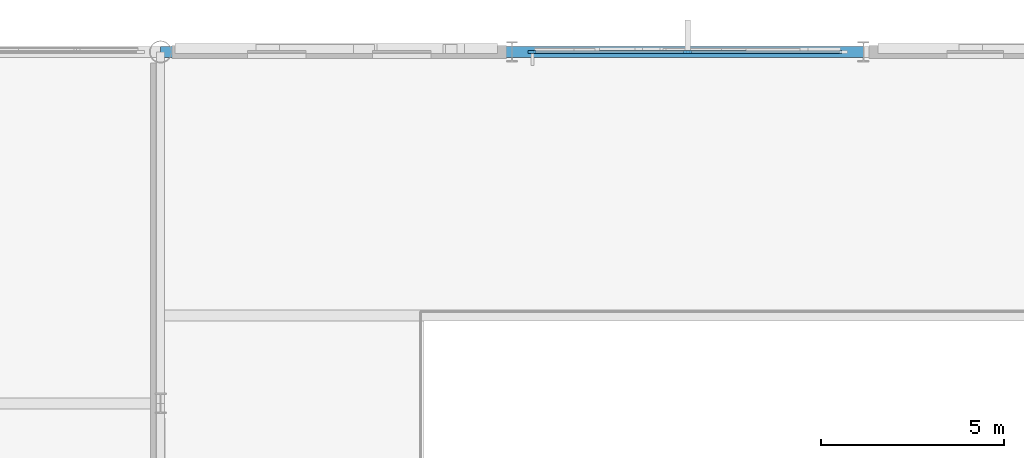
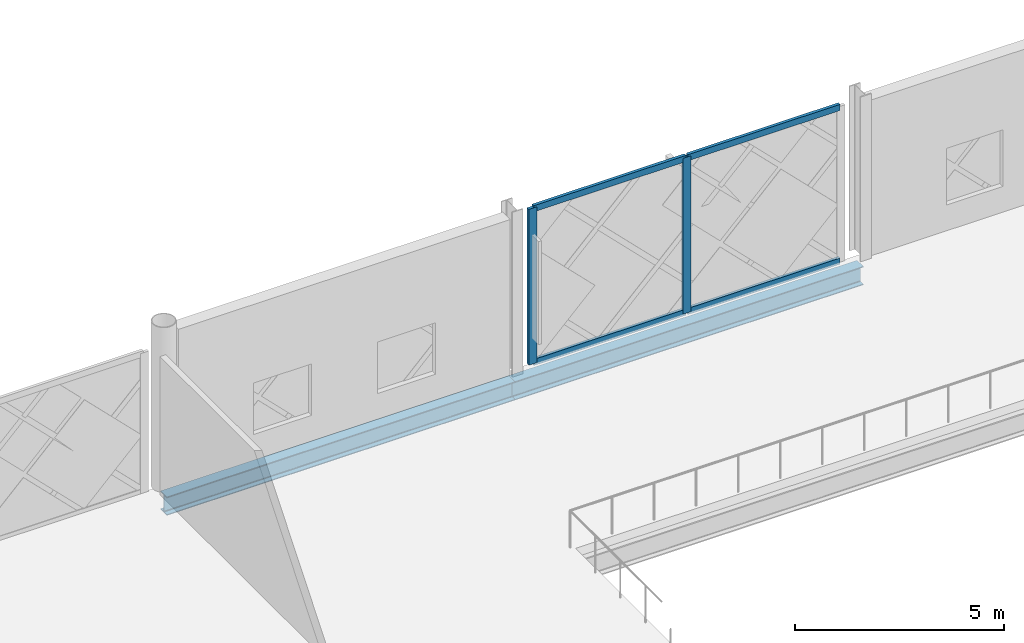
# One storey, part 32 of 77: 6 members, 2 beams, 1 element without a shape of its own.
"""IFC4 building model written with IfcOpenShell, lengths in metres."""

import ifcopenshell
import ifcopenshell.guid

model = None  # the IFC model being written
_history = None  # IfcOwnerHistory: only IFC2X3 demands one
_inside = {}  # id of a spatial element -> (the spatial element, [elements in it])
_under = {}  # id of a project, library or spatial element -> (it, [spatial elements below it])
_declared = {}  # id of a project -> (the project, [libraries it declares])
_typed = {}  # id of a type object -> (the type object, [elements of that type])
_made_of = {}  # id of a material, layer set ... -> (it, [elements and type objects made of it])


def new_model(schema):
    """Start an empty IFC model of exactly this schema.

    Asked for "IFC4X3", IfcOpenShell would pick the latest addendum, in which some entities
    have other attributes; the version numbers below select the first issue.
    IFC2X3 requires an IfcOwnerHistory on every rooted entity: one is made here for all.
    """
    global model, _history
    if schema == "IFC4X3":
        model = ifcopenshell.file(schema_version=(4, 3, 0, 0))
    else:
        model = ifcopenshell.file(schema=schema)
    _inside.clear()
    _under.clear()
    _declared.clear()
    _typed.clear()
    _made_of.clear()
    _history = None
    if model.schema == "IFC2X3":
        org = make("IfcOrganization", Name="unknown")
        user = make(
            "IfcPersonAndOrganization",
            ThePerson=make("IfcPerson", FamilyName="unknown"),
            TheOrganization=org,
        )
        app = make(
            "IfcApplication",
            ApplicationDeveloper=org,
            Version="unknown",
            ApplicationFullName="unknown",
            ApplicationIdentifier="unknown",
        )
        _history = make(
            "IfcOwnerHistory",
            OwningUser=user,
            OwningApplication=app,
            ChangeAction="ADDED",
            CreationDate=0,
        )
    return model


def make(cls, **values):
    """One entity of the class cls with the attributes given. An attribute that is None is left unset."""
    return model.create_entity(
        cls, **{name: value for name, value in values.items() if value is not None}
    )


def rooted(cls, **values):
    """An entity with a GlobalId (a new one), such as an element, a storey or a relation."""
    return make(cls, GlobalId=ifcopenshell.guid.new(), OwnerHistory=_history, **values)


def si_unit(unit_type, name, prefix=None):
    """IfcSIUnit, for example si_unit("LENGTHUNIT", "METRE", prefix="MILLI")."""
    return make("IfcSIUnit", UnitType=unit_type, Prefix=prefix, Name=name)


def assignment(units):
    """IfcUnitAssignment: the units of a project."""
    return None if units is None else make("IfcUnitAssignment", Units=units)


def point(xyz):
    """IfcCartesianPoint."""
    return None if xyz is None else make("IfcCartesianPoint", Coordinates=xyz)


def direction(xyz):
    """IfcDirection."""
    return None if xyz is None else make("IfcDirection", DirectionRatios=xyz)


def frame(location, z_axis=None, x_axis=None):
    """IfcAxis2Placement3D, a coordinate frame: its origin and axes. An axis left out is left unset."""
    return make(
        "IfcAxis2Placement3D",
        Location=point(location),
        Axis=direction(z_axis),
        RefDirection=direction(x_axis),
    )


def frame_2d(location, x_axis=None):
    """IfcAxis2Placement2D, a coordinate frame in the plane: its origin and x axis."""
    return make(
        "IfcAxis2Placement2D", Location=point(location), RefDirection=direction(x_axis)
    )


def origin():
    """The frame at (0, 0, 0) with its axes left unset."""
    return frame((0.0, 0.0, 0.0))


def origin_2d():
    """The frame at (0, 0) in the plane with its x axis left unset."""
    return frame_2d((0.0, 0.0))


def place(relative_to, where):
    """IfcLocalPlacement: puts the frame where relative to a parent placement (None: the world)."""
    return make(
        "IfcLocalPlacement", PlacementRelTo=relative_to, RelativePlacement=where
    )


def context(
    kind, dimensions, precision=None, world=None, true_north=None, identifier=None
):
    """IfcGeometricRepresentationContext, for example the 3D "Model" context."""
    return make(
        "IfcGeometricRepresentationContext",
        ContextIdentifier=identifier,
        ContextType=kind,
        CoordinateSpaceDimension=dimensions,
        Precision=precision,
        WorldCoordinateSystem=world,
        TrueNorth=true_north,
    )


def subcontext(parent, identifier, kind, view, scale=None):
    """IfcGeometricRepresentationSubContext, for example "Body" below "Model"."""
    return make(
        "IfcGeometricRepresentationSubContext",
        ContextIdentifier=identifier,
        ContextType=kind,
        ParentContext=parent,
        TargetScale=scale,
        TargetView=view,
    )


def project(units=None, contexts=None):
    """IfcProject with its units and contexts."""
    return rooted(
        "IfcProject",
        Name="project",
        RepresentationContexts=contexts,
        UnitsInContext=assignment(units),
    )


def spatial(cls, under=None, at=None, **own):
    """A site, building, storey or space (cls), placed at a placement, below another one or the project."""
    s = rooted(cls, ObjectPlacement=at, **own)
    if under is not None:
        _under.setdefault(under.id(), (under, []))[1].append(s)
    return s


def profile(cls, at=None, kind="AREA", **sizes):
    """A parametric profile (cls). Its sizes go by their IFC names, for example OverallWidth=200.0."""
    return make(cls, ProfileType=kind, Position=at, **sizes)


def rectangle(**sizes):
    """IfcRectangleProfileDef."""
    return profile("IfcRectangleProfileDef", **sizes)


def i_section(**sizes):
    """IfcIShapeProfileDef."""
    return profile("IfcIShapeProfileDef", **sizes)


def extrude(swept, where, along, depth):
    """IfcExtrudedAreaSolid: the profile swept, set in the frame where, extruded along a direction by depth."""
    return make(
        "IfcExtrudedAreaSolid",
        SweptArea=swept,
        Position=where,
        ExtrudedDirection=direction(along),
        Depth=depth,
    )


def shape(context_of_items, identifier, shape_type, items):
    """IfcShapeRepresentation: the items that make up one representation, for example the "Body"."""
    return make(
        "IfcShapeRepresentation",
        ContextOfItems=context_of_items,
        RepresentationIdentifier=identifier,
        RepresentationType=shape_type,
        Items=items,
    )


def material(Name=None, Category=None):
    """IfcMaterial."""
    return make("IfcMaterial", Name=Name, Category=Category)


def layer(
    of_material, thickness, ventilated=None, Name=None, Category=None, Priority=None
):
    """IfcMaterialLayer: one layer of a wall or slab, of a material (None: an air gap)."""
    return make(
        "IfcMaterialLayer",
        Material=of_material,
        LayerThickness=thickness,
        IsVentilated=ventilated,
        Name=Name,
        Category=Category,
        Priority=Priority,
    )


def layer_set(layers, Name=None):
    """IfcMaterialLayerSet."""
    return make("IfcMaterialLayerSet", MaterialLayers=layers, LayerSetName=Name)


def material_profile(
    of_material, cross_section, Name=None, Category=None, Priority=None
):
    """IfcMaterialProfile: a cross section and its material."""
    return make(
        "IfcMaterialProfile",
        Name=Name,
        Material=of_material,
        Profile=cross_section,
        Priority=Priority,
        Category=Category,
    )


def profile_set(profiles, Name=None, composite=None):
    """IfcMaterialProfileSet."""
    return make(
        "IfcMaterialProfileSet",
        Name=Name,
        MaterialProfiles=profiles,
        CompositeProfile=composite,
    )


def made_of(thing, what):
    """Note that an element or type object is made of a material, layer set ...; save() writes the relation."""
    if what is not None:
        _made_of.setdefault(what.id(), (what, []))[1].append(thing)
    return thing


def type_object(cls, material=None, **own):
    """A type object (cls), such as IfcWallType, which elements share."""
    return made_of(rooted(cls, **own), material)


def element(
    cls,
    number,
    at=None,
    inside=None,
    cuts=None,
    type_object=None,
    material=None,
    context=None,
    identifier="Body",
    shape_type=None,
    held_by="IfcProductDefinitionShape",
    body=None,
    shapes=None,
    **own,
):
    """One element of the class cls, such as IfcWall. Its Tag is "e" and its number.

    at: its placement. inside: the storey or other place that contains it. cuts: it is an
    opening in that element (IfcRelVoidsElement). A single representation is given by context,
    identifier, shape_type and body (its items); several are given by shapes. held_by: the class
    of the entity that holds the representations. save() writes the other relations.
    """
    e = rooted(cls, Tag="e%d" % number, ObjectPlacement=at, **own)
    if body is not None:
        shapes = [shape(context, identifier, shape_type, body)]
    if shapes is not None:
        e.Representation = make(held_by, Representations=shapes)
    if inside is not None:
        _inside.setdefault(inside.id(), (inside, []))[1].append(e)
    if cuts is not None:
        rooted(
            "IfcRelVoidsElement", RelatingBuildingElement=cuts, RelatedOpeningElement=e
        )
    if type_object is not None:
        _typed.setdefault(type_object.id(), (type_object, []))[1].append(e)
    return made_of(e, material)


def aggregate(whole, parts):
    """IfcRelAggregates: a whole, such as a stair, and the parts it consists of."""
    return rooted("IfcRelAggregates", RelatingObject=whole, RelatedObjects=parts)


def save(model, path):
    """Write the relations noted so far, then the file.

    IfcRelAggregates (storeys below a building ...), IfcRelContainedInSpatialStructure (elements
    in a storey), IfcRelDefinesByType, IfcRelAssociatesMaterial and IfcRelDeclares: one each for
    every whole, place, type object, material and project.
    """
    for whole, parts in _under.values():
        aggregate(whole, parts)
    for where, things in _inside.values():
        rooted(
            "IfcRelContainedInSpatialStructure",
            RelatedElements=things,
            RelatingStructure=where,
        )
    for kind, things in _typed.values():
        rooted("IfcRelDefinesByType", RelatedObjects=things, RelatingType=kind)
    for what, things in _made_of.values():
        rooted("IfcRelAssociatesMaterial", RelatedObjects=things, RelatingMaterial=what)
    for by, libraries in _declared.values():
        rooted("IfcRelDeclares", RelatingContext=by, RelatedDefinitions=libraries)
    model.write(path)


model = new_model("IFC4")

# Units and contexts
model_context = context("Model", 3, precision=1e-05, world=origin(), true_north=direction((0.0, 1.0)))
body_context = subcontext(model_context, "Body", "Model", "MODEL_VIEW")
ifc_project = project(units=[si_unit("LENGTHUNIT", "METRE"), si_unit("AREAUNIT", "SQUARE_METRE"), si_unit("VOLUMEUNIT", "CUBIC_METRE"), si_unit("PLANEANGLEUNIT", "RADIAN"), si_unit("MASSUNIT", "GRAM", prefix="KILO")], contexts=[model_context])

# Site, building, storey
site_placement = place(None, origin())
site = spatial("IfcSite", under=ifc_project, at=site_placement, CompositionType="ELEMENT")
building_placement = place(site_placement, origin())
building = spatial("IfcBuilding", under=site, at=building_placement, Name="Zevrakil Square Congress Hotel", CompositionType="ELEMENT")
storey_placement = place(building_placement, frame((0.0, 0.0, 9.89990234375)))
storey = spatial("IfcBuildingStorey", under=building, at=storey_placement, Name="L03", CompositionType="ELEMENT", Elevation=9.89990234375)

# Beams
ifc_material_1 = material(Name="Steel S355", Category="steel")
ifc_material_profile_1 = material_profile(ifc_material_1, i_section(OverallWidth=0.300048828125, OverallDepth=0.5400390625, WebThickness=0.012451171875, FlangeThickness=0.02392578125, FilletRadius=0.027099609375, at=origin_2d()), Name="HEA 550")
ifc_profile_set_1 = profile_set([ifc_material_profile_1], Name="Steel S355")
beam_type = type_object("IfcBeamType", Name="BM-HEA550", PredefinedType="BEAM", material=ifc_profile_set_1)
beam_1_placement = place(storey_placement, frame((117.60009765625, 112.800048828125, -0.52978515625), z_axis=(1.0, 0.0, 0.0), x_axis=(0.0, 1.0, 0.0)))
element("IfcBeam", 1, at=beam_1_placement, inside=storey, type_object=beam_type, Name="L03 primary girder BX-1080", PredefinedType="BEAM", context=body_context, shape_type="SweptSolid", body=[
    extrude(i_section(OverallWidth=0.300048828125, OverallDepth=0.5400390625, WebThickness=0.012451171875, FlangeThickness=0.02392578125, FilletRadius=0.027099609375, at=origin_2d()), origin(), (0.0, 0.0, 1.0), 9.599853515625),
])
beam_2_placement = place(storey_placement, frame((127.199951171875, 112.800048828125, -0.52978515625), z_axis=(1.0, 0.0, 0.0), x_axis=(0.0, 1.0, 0.0)))
element("IfcBeam", 2, at=beam_2_placement, inside=storey, type_object=beam_type, Name="L03 primary girder BX-1081", PredefinedType="BEAM", context=body_context, shape_type="SweptSolid", body=[
    extrude(i_section(OverallWidth=0.300048828125, OverallDepth=0.5400390625, WebThickness=0.012451171875, FlangeThickness=0.02392578125, FilletRadius=0.027099609375, at=origin_2d()), origin(), (0.0, 0.0, 1.0), 9.60009765625),
])

# Curtain wall, members
ifc_material_2 = material(Name="Aluminium Anodised Bronze", Category="aluminium")
ifc_layer = layer(ifc_material_2, 0.179931640625)
ifc_layer_set = layer_set([ifc_layer], Name="Aluminium Anodised Bronze")
curtain_wall_type = type_object("IfcCurtainWallType", Name="CW-L03-840", PredefinedType="USERDEFINED", material=ifc_layer_set)
curtain_wall_placement = place(storey_placement, origin())
curtain_wall = element("IfcCurtainWall", 3, at=curtain_wall_placement, inside=storey, type_object=curtain_wall_type, Name="L03 diamond curtain wall CW-L03-0045", ObjectType="GLAZED CURTAIN WALL", PredefinedType="USERDEFINED")
ifc_material_3 = material(Name="Aluminium Anodised Bronze", Category="aluminium")
ifc_material_profile_2 = material_profile(ifc_material_3, rectangle(XDim=0.0849609375, YDim=0.179931640625, at=origin_2d()), Name="ALU 85x180")
ifc_profile_set_2 = profile_set([ifc_material_profile_2], Name="Aluminium Anodised Bronze")
member_type_1 = type_object("IfcMemberType", Name="CWM-ALU85x180", PredefinedType="USERDEFINED", material=ifc_profile_set_2)
member_1_placement = place(storey_placement, frame((127.780029296875, 112.800048828125, 0.030029296875), z_axis=(1.0, 0.0, 0.0), x_axis=(0.0, 1.0, 0.0)))
member_1 = element("IfcMember", 4, at=member_1_placement, type_object=member_type_1, Name="CW-35 transom 1.1", ObjectType="TRANSOM", PredefinedType="USERDEFINED", context=body_context, shape_type="SweptSolid", body=[
    extrude(rectangle(XDim=0.0849609375, YDim=0.179931640625, at=origin_2d()), origin(), (0.0, 0.0, 1.0), 4.18994140625),
])
member_2_placement = place(storey_placement, frame((127.780029296875, 112.800048828125, 4.510009765625), z_axis=(1.0, 0.0, 0.0), x_axis=(0.0, 1.0, 0.0)))
member_2 = element("IfcMember", 5, at=member_2_placement, type_object=member_type_1, Name="CW-35 transom 1.2", ObjectType="TRANSOM", PredefinedType="USERDEFINED", context=body_context, shape_type="SweptSolid", body=[
    extrude(rectangle(XDim=0.0849609375, YDim=0.179931640625, at=origin_2d()), origin(), (0.0, 0.0, 1.0), 4.18994140625),
])
member_3_placement = place(storey_placement, frame((132.030029296875, 112.800048828125, 0.030029296875), z_axis=(1.0, 0.0, 0.0), x_axis=(0.0, 1.0, 0.0)))
member_3 = element("IfcMember", 6, at=member_3_placement, type_object=member_type_1, Name="CW-35 transom 2.1", ObjectType="TRANSOM", PredefinedType="USERDEFINED", context=body_context, shape_type="SweptSolid", body=[
    extrude(rectangle(XDim=0.0849609375, YDim=0.179931640625, at=origin_2d()), origin(), (0.0, 0.0, 1.0), 4.18994140625),
])
member_4_placement = place(storey_placement, frame((132.030029296875, 112.800048828125, 4.510009765625), z_axis=(1.0, 0.0, 0.0), x_axis=(0.0, 1.0, 0.0)))
member_4 = element("IfcMember", 7, at=member_4_placement, type_object=member_type_1, Name="CW-35 transom 2.2", ObjectType="TRANSOM", PredefinedType="USERDEFINED", context=body_context, shape_type="SweptSolid", body=[
    extrude(rectangle(XDim=0.0849609375, YDim=0.179931640625, at=origin_2d()), origin(), (0.0, 0.0, 1.0), 4.18994140625),
])
ifc_material_4 = material(Name="Aluminium Anodised Bronze", Category="aluminium")
ifc_material_profile_3 = material_profile(ifc_material_4, rectangle(XDim=0.0849609375, YDim=0.219970703125, at=origin_2d()), Name="ALU 85x220")
ifc_profile_set_3 = profile_set([ifc_material_profile_3], Name="Aluminium Anodised Bronze")
member_type_2 = type_object("IfcMemberType", Name="CWM-ALU85x220", PredefinedType="MULLION", material=ifc_profile_set_3)
member_5_placement = place(storey_placement, frame((127.75, 112.800048828125, 0.0), z_axis=(0.0, 0.0, 1.0), x_axis=(0.0, 1.0, 0.0)))
member_5 = element("IfcMember", 8, at=member_5_placement, type_object=member_type_2, Name="CW-35 mullion 1", PredefinedType="MULLION", context=body_context, shape_type="SweptSolid", body=[
    extrude(rectangle(XDim=0.0849609375, YDim=0.219970703125, at=origin_2d()), origin(), (0.0, 0.0, 1.0), 4.5400390625),
])
member_6_placement = place(storey_placement, frame((132.0, 112.800048828125, 0.0), z_axis=(0.0, 0.0, 1.0), x_axis=(0.0, 1.0, 0.0)))
member_6 = element("IfcMember", 9, at=member_6_placement, type_object=member_type_2, Name="CW-35 mullion 2", PredefinedType="MULLION", context=body_context, shape_type="SweptSolid", body=[
    extrude(rectangle(XDim=0.0849609375, YDim=0.219970703125, at=origin_2d()), origin(), (0.0, 0.0, 1.0), 4.5400390625),
])
aggregate(curtain_wall, [member_5, member_6, member_1, member_2, member_3, member_4])

save(model, "model.ifc")
